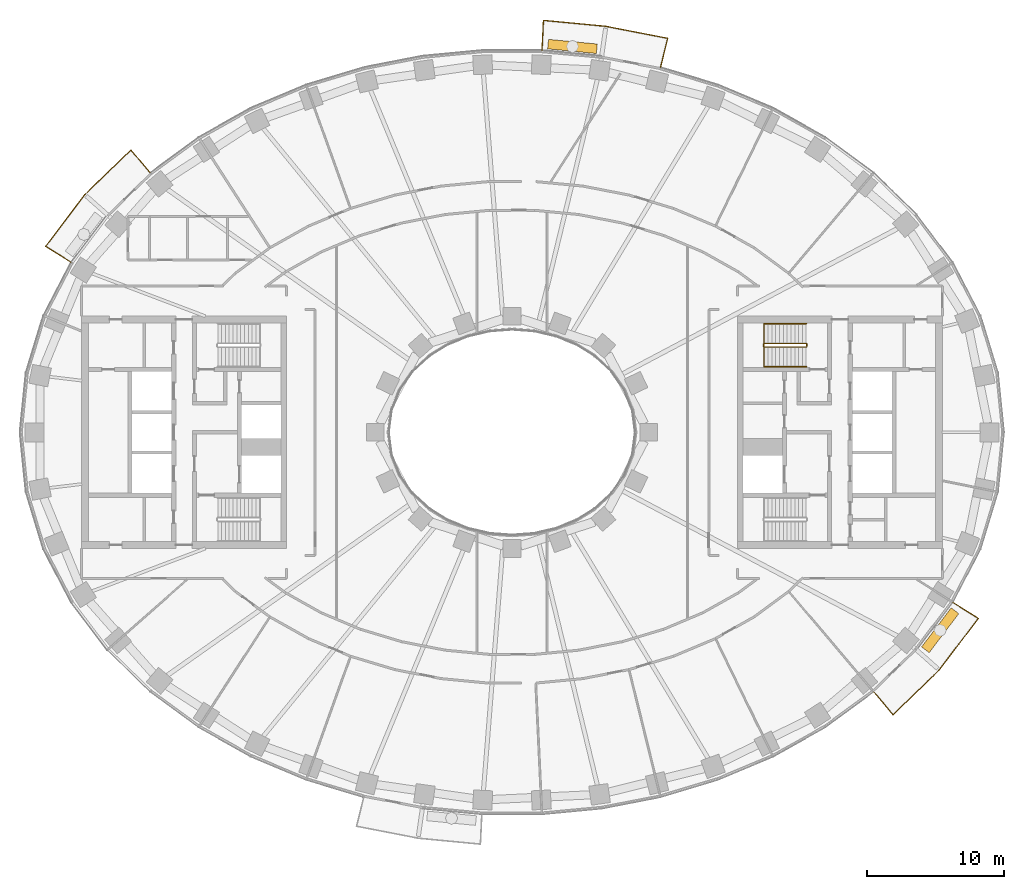
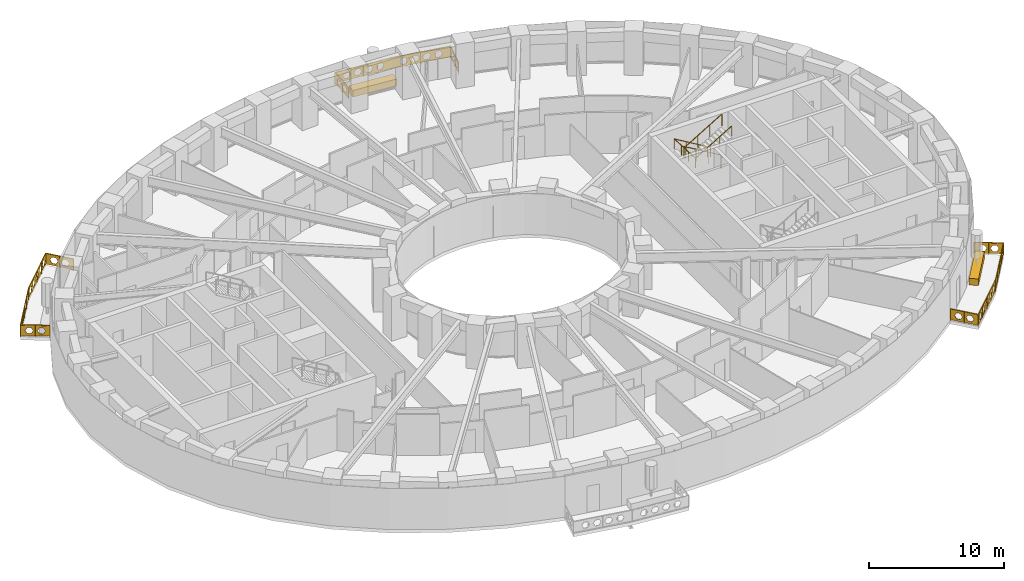
# One storey, part 15 of 16: 5 railings, 2 coverings.
"""IFC4 building model written with IfcOpenShell, lengths in metres."""

from ifc_helpers import new_model, si_unit, direction, frame, origin, origin_2d, place, context, subcontext, project, spatial, polyline, rectangle, outline, extrude, material, type_object, element, save


model = new_model("IFC4")

# Units and contexts
model_context = context("Model", 3, precision=1e-05, world=origin(), true_north=direction((0.0, 1.0)))
body_context = subcontext(model_context, "Body", "Model", "MODEL_VIEW")
ifc_project = project(units=[si_unit("LENGTHUNIT", "METRE"), si_unit("AREAUNIT", "SQUARE_METRE"), si_unit("VOLUMEUNIT", "CUBIC_METRE"), si_unit("PLANEANGLEUNIT", "RADIAN"), si_unit("MASSUNIT", "GRAM", prefix="KILO")], contexts=[model_context])

# Site, building, storey
site_placement = place(None, origin())
site = spatial("IfcSite", under=ifc_project, at=site_placement, CompositionType="ELEMENT")
building_placement = place(site_placement, origin())
building = spatial("IfcBuilding", under=site, at=building_placement, Name="Noorbagh Ring Tower", CompositionType="ELEMENT")
storey_placement = place(building_placement, frame((0.0, 0.0, 70.5)))
storey = spatial("IfcBuildingStorey", under=building, at=storey_placement, Name="L15", CompositionType="ELEMENT", Elevation=70.5)

# Railings
ifc_material_1 = material(Name="Stainless steel", Category="steel")
railing_type_1 = type_object("IfcRailingType", Name="CORE-STAIR-GUARD", PredefinedType="GUARDRAIL", material=ifc_material_1)
railing_1_placement = place(storey_placement, frame((21.580078125, 6.449951171875, 0.0)))
element("IfcRailing", 1, at=railing_1_placement, inside=storey, type_object=railing_type_1, Name="L15 ST3 stair guard", PredefinedType="GUARDRAIL", context=body_context, shape_type="SweptSolid", body=[
    extrude(rectangle(XDim=0.048095703125, YDim=0.048095703125, at=origin_2d()), frame((0.0, 0.0, 1.076171875), z_axis=(0.0, -1.0, 0.0), x_axis=(1.0, 0.0, 0.0)), (0.0, 0.0, 1.0), 0.14990234375),
    extrude(rectangle(XDim=0.048095703125, YDim=0.048095703125, at=origin_2d()), frame((0.0, -0.14990234375, 1.076171875), z_axis=(-0.188775798145, 0.754182335027, 0.628945707965), x_axis=(-0.970072785993, -0.242814311512, 0.0)), (0.0, 0.0, 1.0), 0.26513671875),
    extrude(rectangle(XDim=0.048095703125, YDim=0.048095703125, at=origin_2d()), frame((-0.050048828125, 0.050048828125, 1.24267578125), z_axis=(-0.859308565015, 0.0, 0.511457515432), x_axis=(0.0, -1.0, 0.0)), (0.0, 0.0, 1.0), 3.58447265625),
    extrude(rectangle(XDim=0.048095703125, YDim=0.048095703125, at=origin_2d()), frame((-3.130126953125, 0.050048828125, 3.076171875), z_axis=(-0.707106781187, -0.707106781187, 0.0), x_axis=(0.707106781187, -0.707106781187, 0.0)), (0.0, 0.0, 1.0), 0.07080078125),
    extrude(rectangle(XDim=0.048095703125, YDim=0.048095703125, at=origin_2d()), frame((-3.18017578125, 0.0, 3.076171875), z_axis=(0.0, -1.0, 0.0), x_axis=(1.0, 0.0, 0.0)), (0.0, 0.0, 1.0), 0.14990234375),
    extrude(rectangle(XDim=0.048095703125, YDim=0.048095703125, at=origin_2d()), frame((-3.18017578125, -0.14990234375, 3.076171875), z_axis=(0.27628659633, -0.27628659633, 0.920506074601), x_axis=(0.707106781187, 0.707106781187, 0.0)), (0.0, 0.0, 1.0), 0.18115234375),
    extrude(rectangle(XDim=0.048095703125, YDim=0.048095703125, at=origin_2d()), frame((-3.130126953125, -0.199951171875, 3.24267578125), z_axis=(0.859308565015, 0.0, 0.511457515432), x_axis=(0.0, 1.0, 0.0)), (0.0, 0.0, 1.0), 3.58447265625),
    extrude(rectangle(XDim=0.0419921875, YDim=0.0419921875, at=origin_2d()), origin(), (0.0, 0.0, 1.0), 1.052001953125),
    extrude(rectangle(XDim=0.0419921875, YDim=0.0419921875, at=origin_2d()), frame((-1.07666015625, 0.050048828125, 0.77783203125)), (0.0, 0.0, 1.0), 1.052001953125),
    extrude(rectangle(XDim=0.0419921875, YDim=0.0419921875, at=origin_2d()), frame((-2.103515625, 0.050048828125, 1.388916015625)), (0.0, 0.0, 1.0), 1.052001953125),
    extrude(rectangle(XDim=0.0419921875, YDim=0.0419921875, at=origin_2d()), frame((-3.130126953125, 0.050048828125, 2.0)), (0.0, 0.0, 1.0), 1.052001953125),
    extrude(rectangle(XDim=0.0419921875, YDim=0.0419921875, at=origin_2d()), frame((-3.130126953125, -0.199951171875, 2.166748046875)), (0.0, 0.0, 1.0), 1.052001953125),
    extrude(rectangle(XDim=0.0419921875, YDim=0.0419921875, at=origin_2d()), frame((-2.103515625, -0.199951171875, 2.77783203125)), (0.0, 0.0, 1.0), 1.052001953125),
    extrude(rectangle(XDim=0.0419921875, YDim=0.0419921875, at=origin_2d()), frame((-1.07666015625, -0.199951171875, 3.388916015625)), (0.0, 0.0, 1.0), 1.052001953125),
    extrude(rectangle(XDim=0.0419921875, YDim=0.0419921875, at=origin_2d()), frame((-0.050048828125, -0.199951171875, 4.0)), (0.0, 0.0, 1.0), 1.052001953125),
])
ifc_material_2 = material(Name="Stainless steel", Category="steel")
railing_type_2 = type_object("IfcRailingType", Name="CORE-STAIR-HANDRAIL", PredefinedType="HANDRAIL", material=ifc_material_2)
railing_2_placement = place(storey_placement, frame((21.530029296875, 7.949951171875, 0.166748046875)))
element("IfcRailing", 2, at=railing_2_placement, inside=storey, type_object=railing_type_2, Name="L15 ST3 stair handrail", PredefinedType="HANDRAIL", context=body_context, shape_type="SweptSolid", body=[
    extrude(rectangle(XDim=0.048095703125, YDim=0.048095703125, at=origin_2d()), frame((0.0, 0.0, 0.8759765625), z_axis=(-0.859308565015, 0.0, 0.511457515432), x_axis=(0.0, -1.0, 0.0)), (0.0, 0.0, 1.0), 3.58447265625),
    extrude(rectangle(XDim=0.048095703125, YDim=0.048095703125, at=origin_2d()), frame((-3.080078125, 0.0, 2.708984375), z_axis=(0.0, -0.998601747152, 0.052863509014), x_axis=(1.0, 0.0, 0.0)), (0.0, 0.0, 1.0), 3.154296875),
    extrude(rectangle(XDim=0.048095703125, YDim=0.048095703125, at=origin_2d()), frame((-3.080078125, -3.14990234375, 2.8759765625), z_axis=(0.859308565015, 0.0, 0.511457515432), x_axis=(0.0, 1.0, 0.0)), (0.0, 0.0, 1.0), 3.58447265625),
    extrude(rectangle(XDim=0.0419921875, YDim=0.0419921875, at=origin_2d()), origin(), (0.0, 0.0, 1.0), 0.851806640625),
    extrude(rectangle(XDim=0.0419921875, YDim=0.0419921875, at=origin_2d()), frame((-1.026611328125, 0.0, 0.611083984375)), (0.0, 0.0, 1.0), 0.851806640625),
    extrude(rectangle(XDim=0.0419921875, YDim=0.0419921875, at=origin_2d()), frame((-2.053466796875, 0.0, 1.22216796875)), (0.0, 0.0, 1.0), 0.851806640625),
    extrude(rectangle(XDim=0.0419921875, YDim=0.0419921875, at=origin_2d()), frame((-3.080078125, 0.0, 1.833251953125)), (0.0, 0.0, 1.0), 0.851806640625),
    extrude(rectangle(XDim=0.0419921875, YDim=0.0419921875, at=origin_2d()), frame((-3.080078125, -1.050048828125, 1.888916015625)), (0.0, 0.0, 1.0), 0.851806640625),
    extrude(rectangle(XDim=0.0419921875, YDim=0.0419921875, at=origin_2d()), frame((-3.080078125, -2.099853515625, 1.9443359375)), (0.0, 0.0, 1.0), 0.851806640625),
    extrude(rectangle(XDim=0.0419921875, YDim=0.0419921875, at=origin_2d()), frame((-3.080078125, -3.14990234375, 2.0)), (0.0, 0.0, 1.0), 0.851806640625),
    extrude(rectangle(XDim=0.0419921875, YDim=0.0419921875, at=origin_2d()), frame((-2.053466796875, -3.14990234375, 2.611083984375)), (0.0, 0.0, 1.0), 0.851806640625),
    extrude(rectangle(XDim=0.0419921875, YDim=0.0419921875, at=origin_2d()), frame((-1.026611328125, -3.14990234375, 3.22216796875)), (0.0, 0.0, 1.0), 0.851806640625),
    extrude(rectangle(XDim=0.0419921875, YDim=0.0419921875, at=origin_2d()), frame((0.0, -3.14990234375, 3.833251953125)), (0.0, 0.0, 1.0), 0.851806640625),
])
ifc_material_3 = material(Name="Steel S275 black powder-coated", Category="steel")
railing_type_3 = type_object("IfcRailingType", Name="ENV-GUARD", PredefinedType="GUARDRAIL", material=ifc_material_3)
railing_3_placement = place(storey_placement, frame((10.865234375, 26.6943359375, 0.0)))
element("IfcRailing", 3, at=railing_3_placement, inside=storey, type_object=railing_type_3, Name="Balcony guard BN03", PredefinedType="GUARDRAIL", context=body_context, shape_type="SweptSolid", body=[
    extrude(rectangle(XDim=0.048095703125, YDim=0.048095703125, at=origin_2d()), frame((0.0, 0.0, 1.076171875), z_axis=(0.239848558412, 0.970810315679, 0.0), x_axis=(-0.970810315679, 0.239848558412, 0.0)), (0.0, 0.0, 1.0), 2.20263671875),
    extrude(rectangle(XDim=0.048095703125, YDim=0.048095703125, at=origin_2d()), frame((0.5283203125, 2.138427734375, 1.076171875), z_axis=(-0.981625049064, 0.1908199755, 0.0), x_axis=(-0.1908199755, -0.981625049064, 0.0)), (0.0, 0.0, 1.0), 4.603271484375),
    extrude(rectangle(XDim=0.048095703125, YDim=0.048095703125, at=origin_2d()), frame((-3.990478515625, 3.016845703125, 1.076171875), z_axis=(-0.995477555764, 0.094997031379, 0.0), x_axis=(-0.094997031379, -0.995477555764, 0.0)), (0.0, 0.0, 1.0), 4.59765625),
    extrude(rectangle(XDim=0.048095703125, YDim=0.048095703125, at=origin_2d()), frame((-8.5673828125, 3.45361328125, 1.076171875), z_axis=(-0.047554616162, -0.998868639252, 0.0), x_axis=(0.998868639252, -0.047554616162, 0.0)), (0.0, 0.0, 1.0), 2.202392578125),
    extrude(rectangle(XDim=0.0419921875, YDim=0.0419921875, at=origin_2d()), origin(), (0.0, 0.0, 1.0), 1.052001953125),
    extrude(rectangle(XDim=0.0419921875, YDim=0.0419921875, at=origin_2d()), frame((0.26416015625, 1.0693359375, 0.0)), (0.0, 0.0, 1.0), 1.052001953125),
    extrude(rectangle(XDim=0.0419921875, YDim=0.0419921875, at=origin_2d()), frame((0.5283203125, 2.138427734375, 0.0)), (0.0, 0.0, 1.0), 1.052001953125),
    extrude(rectangle(XDim=0.0419921875, YDim=0.0419921875, at=origin_2d()), frame((-0.601318359375, 2.35791015625, 0.0)), (0.0, 0.0, 1.0), 1.052001953125),
    extrude(rectangle(XDim=0.0419921875, YDim=0.0419921875, at=origin_2d()), frame((-1.73095703125, 2.57763671875, 0.0)), (0.0, 0.0, 1.0), 1.052001953125),
    extrude(rectangle(XDim=0.0419921875, YDim=0.0419921875, at=origin_2d()), frame((-2.86083984375, 2.79736328125, 0.0)), (0.0, 0.0, 1.0), 1.052001953125),
    extrude(rectangle(XDim=0.0419921875, YDim=0.0419921875, at=origin_2d()), frame((-3.990478515625, 3.016845703125, 0.0)), (0.0, 0.0, 1.0), 1.052001953125),
    extrude(rectangle(XDim=0.0419921875, YDim=0.0419921875, at=origin_2d()), frame((-5.134765625, 3.1259765625, 0.0)), (0.0, 0.0, 1.0), 1.052001953125),
    extrude(rectangle(XDim=0.0419921875, YDim=0.0419921875, at=origin_2d()), frame((-6.27880859375, 3.2353515625, 0.0)), (0.0, 0.0, 1.0), 1.052001953125),
    extrude(rectangle(XDim=0.0419921875, YDim=0.0419921875, at=origin_2d()), frame((-7.423095703125, 3.344482421875, 0.0)), (0.0, 0.0, 1.0), 1.052001953125),
    extrude(rectangle(XDim=0.0419921875, YDim=0.0419921875, at=origin_2d()), frame((-8.5673828125, 3.45361328125, 0.0)), (0.0, 0.0, 1.0), 1.052001953125),
    extrude(rectangle(XDim=0.0419921875, YDim=0.0419921875, at=origin_2d()), frame((-8.61962890625, 2.353515625, 0.0)), (0.0, 0.0, 1.0), 1.052001953125),
    extrude(rectangle(XDim=0.0419921875, YDim=0.0419921875, at=origin_2d()), frame((-8.672119140625, 1.253662109375, 0.0)), (0.0, 0.0, 1.0), 1.052001953125),
    extrude(outline(polyline([(0.0, 0.10009765625), (2.20263671875, 0.10009765625), (2.20263671875, 1.031982421875), (0.0, 1.031982421875), (0.0, 0.10009765625)]), holes=[polyline([(0.96142578125, 0.56591796875), (0.806396484375, 0.83447265625), (0.496337890625, 0.83447265625), (0.34130859375, 0.56591796875), (0.496337890625, 0.297607421875), (0.806396484375, 0.297607421875), (0.96142578125, 0.56591796875)]), polyline([(1.861328125, 0.56591796875), (1.706298828125, 0.83447265625), (1.396240234375, 0.83447265625), (1.241455078125, 0.56591796875), (1.396240234375, 0.297607421875), (1.706298828125, 0.297607421875), (1.861328125, 0.56591796875)])]), frame((-0.009765625, 0.00244140625, 0.0), z_axis=(0.970810315679, -0.239848558412, 0.0), x_axis=(0.239848558412, 0.970810315679, 0.0)), (0.0, 0.0, 1.0), 0.02001953125),
    extrude(outline(polyline([(0.0, 0.10009765625), (4.603271484375, 0.10009765625), (4.603271484375, 1.031982421875), (0.0, 1.031982421875), (0.0, 0.10009765625)]), holes=[polyline([(1.26171875, 0.56591796875), (1.106689453125, 0.83447265625), (0.796630859375, 0.83447265625), (0.6416015625, 0.56591796875), (0.796630859375, 0.297607421875), (1.106689453125, 0.297607421875), (1.26171875, 0.56591796875)]), polyline([(2.16162109375, 0.56591796875), (2.006591796875, 0.83447265625), (1.69677734375, 0.83447265625), (1.541748046875, 0.56591796875), (1.69677734375, 0.297607421875), (2.006591796875, 0.297607421875), (2.16162109375, 0.56591796875)]), polyline([(3.061767578125, 0.56591796875), (2.90673828125, 0.83447265625), (2.5966796875, 0.83447265625), (2.441650390625, 0.56591796875), (2.5966796875, 0.297607421875), (2.90673828125, 0.297607421875), (3.061767578125, 0.56591796875)]), polyline([(3.961669921875, 0.56591796875), (3.806640625, 0.83447265625), (3.49658203125, 0.83447265625), (3.341796875, 0.56591796875), (3.49658203125, 0.297607421875), (3.806640625, 0.297607421875), (3.961669921875, 0.56591796875)])]), frame((0.5263671875, 2.128662109375, 0.0), z_axis=(0.1908199755, 0.981625049064, 0.0), x_axis=(-0.981625049064, 0.1908199755, 0.0)), (0.0, 0.0, 1.0), 0.02001953125),
    extrude(outline(polyline([(0.0, 0.10009765625), (4.59765625, 0.10009765625), (4.59765625, 1.031982421875), (0.0, 1.031982421875), (0.0, 0.10009765625)]), holes=[polyline([(1.2587890625, 0.56591796875), (1.103759765625, 0.83447265625), (0.7939453125, 0.83447265625), (0.638916015625, 0.56591796875), (0.7939453125, 0.297607421875), (1.103759765625, 0.297607421875), (1.2587890625, 0.56591796875)]), polyline([(2.158935546875, 0.56591796875), (2.00390625, 0.83447265625), (1.69384765625, 0.83447265625), (1.538818359375, 0.56591796875), (1.69384765625, 0.297607421875), (2.00390625, 0.297607421875), (2.158935546875, 0.56591796875)]), polyline([(3.058837890625, 0.56591796875), (2.90380859375, 0.83447265625), (2.59375, 0.83447265625), (2.43896484375, 0.56591796875), (2.59375, 0.297607421875), (2.90380859375, 0.297607421875), (3.058837890625, 0.56591796875)]), polyline([(3.958740234375, 0.56591796875), (3.803955078125, 0.83447265625), (3.493896484375, 0.83447265625), (3.3388671875, 0.56591796875), (3.493896484375, 0.297607421875), (3.803955078125, 0.297607421875), (3.958740234375, 0.56591796875)])]), frame((-3.991455078125, 3.0068359375, 0.0), z_axis=(0.094997031379, 0.995477555764, 0.0), x_axis=(-0.995477555764, 0.094997031379, 0.0)), (0.0, 0.0, 1.0), 0.02001953125),
    extrude(outline(polyline([(0.0, 0.10009765625), (2.202392578125, 0.10009765625), (2.202392578125, 1.031982421875), (0.0, 1.031982421875), (0.0, 0.10009765625)]), holes=[polyline([(0.961181640625, 0.56591796875), (0.80615234375, 0.83447265625), (0.496337890625, 0.83447265625), (0.34130859375, 0.56591796875), (0.496337890625, 0.297607421875), (0.80615234375, 0.297607421875), (0.961181640625, 0.56591796875)]), polyline([(1.861328125, 0.56591796875), (1.706298828125, 0.83447265625), (1.396240234375, 0.83447265625), (1.2412109375, 0.56591796875), (1.396240234375, 0.297607421875), (1.706298828125, 0.297607421875), (1.861328125, 0.56591796875)])]), frame((-8.557373046875, 3.453125, 0.0), z_axis=(-0.998868639252, 0.047554616162, 0.0), x_axis=(-0.047554616162, -0.998868639252, 0.0)), (0.0, 0.0, 1.0), 0.02001953125),
])
railing_4_placement = place(storey_placement, frame((-26.463134765625, 18.983154296875, 0.0)))
element("IfcRailing", 4, at=railing_4_placement, inside=storey, type_object=railing_type_3, Name="Balcony guard BN06", PredefinedType="GUARDRAIL", context=body_context, shape_type="SweptSolid", body=[
    extrude(rectangle(XDim=0.048095703125, YDim=0.048095703125, at=origin_2d()), frame((0.0, 0.0, 1.076171875), z_axis=(-0.646413574048, 0.762987215677, 0.0), x_axis=(-0.762987215677, -0.646413574048, 0.0)), (0.0, 0.0, 1.0), 2.205322265625),
    extrude(rectangle(XDim=0.048095703125, YDim=0.048095703125, at=origin_2d()), frame((-1.425537109375, 1.6826171875, 1.076171875), z_axis=(-0.717212632946, -0.696854388766, 0.0), x_axis=(0.696854388766, -0.717212632946, 0.0)), (0.0, 0.0, 1.0), 4.700927734375),
    extrude(rectangle(XDim=0.048095703125, YDim=0.048095703125, at=origin_2d()), frame((-4.797119140625, -1.59326171875, 1.076171875), z_axis=(-0.604001613322, -0.796983093362, 0.0), x_axis=(0.796983093362, -0.604001613322, 0.0)), (0.0, 0.0, 1.0), 4.7353515625),
    extrude(rectangle(XDim=0.048095703125, YDim=0.048095703125, at=origin_2d()), frame((-7.6572265625, -5.3671875, 1.076171875), z_axis=(0.844852397829, -0.534999463442, 0.0), x_axis=(0.534999463442, 0.844852397829, 0.0)), (0.0, 0.0, 1.0), 2.207763671875),
    extrude(rectangle(XDim=0.0419921875, YDim=0.0419921875, at=origin_2d()), origin(), (0.0, 0.0, 1.0), 1.052001953125),
    extrude(rectangle(XDim=0.0419921875, YDim=0.0419921875, at=origin_2d()), frame((-0.712890625, 0.84130859375, 0.0)), (0.0, 0.0, 1.0), 1.052001953125),
    extrude(rectangle(XDim=0.0419921875, YDim=0.0419921875, at=origin_2d()), frame((-1.425537109375, 1.6826171875, 0.0)), (0.0, 0.0, 1.0), 1.052001953125),
    extrude(rectangle(XDim=0.0419921875, YDim=0.0419921875, at=origin_2d()), frame((-2.2685546875, 0.86376953125, 0.0)), (0.0, 0.0, 1.0), 1.052001953125),
    extrude(rectangle(XDim=0.0419921875, YDim=0.0419921875, at=origin_2d()), frame((-3.111328125, 0.044677734375, 0.0)), (0.0, 0.0, 1.0), 1.052001953125),
    extrude(rectangle(XDim=0.0419921875, YDim=0.0419921875, at=origin_2d()), frame((-3.9541015625, -0.7744140625, 0.0)), (0.0, 0.0, 1.0), 1.052001953125),
    extrude(rectangle(XDim=0.0419921875, YDim=0.0419921875, at=origin_2d()), frame((-4.797119140625, -1.59326171875, 0.0)), (0.0, 0.0, 1.0), 1.052001953125),
    extrude(rectangle(XDim=0.0419921875, YDim=0.0419921875, at=origin_2d()), frame((-5.51220703125, -2.53662109375, 0.0)), (0.0, 0.0, 1.0), 1.052001953125),
    extrude(rectangle(XDim=0.0419921875, YDim=0.0419921875, at=origin_2d()), frame((-6.22705078125, -3.480224609375, 0.0)), (0.0, 0.0, 1.0), 1.052001953125),
    extrude(rectangle(XDim=0.0419921875, YDim=0.0419921875, at=origin_2d()), frame((-6.942138671875, -4.423828125, 0.0)), (0.0, 0.0, 1.0), 1.052001953125),
    extrude(rectangle(XDim=0.0419921875, YDim=0.0419921875, at=origin_2d()), frame((-7.6572265625, -5.3671875, 0.0)), (0.0, 0.0, 1.0), 1.052001953125),
    extrude(rectangle(XDim=0.0419921875, YDim=0.0419921875, at=origin_2d()), frame((-6.724609375, -5.957763671875, 0.0)), (0.0, 0.0, 1.0), 1.052001953125),
    extrude(rectangle(XDim=0.0419921875, YDim=0.0419921875, at=origin_2d()), frame((-5.7919921875, -6.54833984375, 0.0)), (0.0, 0.0, 1.0), 1.052001953125),
    extrude(outline(polyline([(0.0, 0.10009765625), (2.205322265625, 0.10009765625), (2.205322265625, 1.031982421875), (0.0, 1.031982421875), (0.0, 0.10009765625)]), holes=[polyline([(0.962646484375, 0.56591796875), (0.8076171875, 0.83447265625), (0.49755859375, 0.83447265625), (0.342529296875, 0.56591796875), (0.49755859375, 0.297607421875), (0.8076171875, 0.297607421875), (0.962646484375, 0.56591796875)]), polyline([(1.862548828125, 0.56591796875), (1.707763671875, 0.83447265625), (1.397705078125, 0.83447265625), (1.24267578125, 0.56591796875), (1.397705078125, 0.297607421875), (1.707763671875, 0.297607421875), (1.862548828125, 0.56591796875)])]), frame((-0.007568359375, -0.00634765625, 0.0), z_axis=(0.762987215677, 0.646413574048, 0.0), x_axis=(-0.646413574048, 0.762987215677, 0.0)), (0.0, 0.0, 1.0), 0.02001953125),
    extrude(outline(polyline([(0.0, 0.10009765625), (4.700927734375, 0.10009765625), (4.700927734375, 1.031982421875), (0.0, 1.031982421875), (0.0, 0.10009765625)]), holes=[polyline([(0.860595703125, 0.56591796875), (0.70556640625, 0.83447265625), (0.3955078125, 0.83447265625), (0.240478515625, 0.56591796875), (0.3955078125, 0.297607421875), (0.70556640625, 0.297607421875), (0.860595703125, 0.56591796875)]), polyline([(1.760498046875, 0.56591796875), (1.60546875, 0.83447265625), (1.29541015625, 0.83447265625), (1.140380859375, 0.56591796875), (1.29541015625, 0.297607421875), (1.60546875, 0.297607421875), (1.760498046875, 0.56591796875)]), polyline([(2.660400390625, 0.56591796875), (2.50537109375, 0.83447265625), (2.195556640625, 0.83447265625), (2.04052734375, 0.56591796875), (2.195556640625, 0.297607421875), (2.50537109375, 0.297607421875), (2.660400390625, 0.56591796875)]), polyline([(3.560546875, 0.56591796875), (3.405517578125, 0.83447265625), (3.095458984375, 0.83447265625), (2.9404296875, 0.56591796875), (3.095458984375, 0.297607421875), (3.405517578125, 0.297607421875), (3.560546875, 0.56591796875)]), polyline([(4.46044921875, 0.56591796875), (4.305419921875, 0.83447265625), (3.995361328125, 0.83447265625), (3.840576171875, 0.56591796875), (3.995361328125, 0.297607421875), (4.305419921875, 0.297607421875), (4.46044921875, 0.56591796875)])]), frame((-1.41845703125, 1.675537109375, 0.0), z_axis=(-0.696854388766, 0.717212632946, 0.0), x_axis=(-0.717212632946, -0.696854388766, 0.0)), (0.0, 0.0, 1.0), 0.02001953125),
    extrude(outline(polyline([(0.0, 0.10009765625), (4.7353515625, 0.10009765625), (4.7353515625, 1.031982421875), (0.0, 1.031982421875), (0.0, 0.10009765625)]), holes=[polyline([(0.877685546875, 0.56591796875), (0.72265625, 0.83447265625), (0.41259765625, 0.83447265625), (0.257568359375, 0.56591796875), (0.41259765625, 0.297607421875), (0.72265625, 0.297607421875), (0.877685546875, 0.56591796875)]), polyline([(1.777587890625, 0.56591796875), (1.62255859375, 0.83447265625), (1.312744140625, 0.83447265625), (1.15771484375, 0.56591796875), (1.312744140625, 0.297607421875), (1.62255859375, 0.297607421875), (1.777587890625, 0.56591796875)]), polyline([(2.677734375, 0.56591796875), (2.522705078125, 0.83447265625), (2.212646484375, 0.83447265625), (2.0576171875, 0.56591796875), (2.212646484375, 0.297607421875), (2.522705078125, 0.297607421875), (2.677734375, 0.56591796875)]), polyline([(3.57763671875, 0.56591796875), (3.422607421875, 0.83447265625), (3.112548828125, 0.83447265625), (2.95751953125, 0.56591796875), (3.112548828125, 0.297607421875), (3.422607421875, 0.297607421875), (3.57763671875, 0.56591796875)]), polyline([(4.4775390625, 0.56591796875), (4.32275390625, 0.83447265625), (4.0126953125, 0.83447265625), (3.857666015625, 0.56591796875), (4.0126953125, 0.297607421875), (4.32275390625, 0.297607421875), (4.4775390625, 0.56591796875)])]), frame((-4.7890625, -1.599365234375, 0.0), z_axis=(-0.796983093362, 0.604001613322, 0.0), x_axis=(-0.604001613322, -0.796983093362, 0.0)), (0.0, 0.0, 1.0), 0.02001953125),
    extrude(outline(polyline([(0.0, 0.10009765625), (2.207763671875, 0.10009765625), (2.207763671875, 1.031982421875), (0.0, 1.031982421875), (0.0, 0.10009765625)]), holes=[polyline([(0.9638671875, 0.56591796875), (0.808837890625, 0.83447265625), (0.498779296875, 0.83447265625), (0.343994140625, 0.56591796875), (0.498779296875, 0.297607421875), (0.808837890625, 0.297607421875), (0.9638671875, 0.56591796875)]), polyline([(1.86376953125, 0.56591796875), (1.708984375, 0.83447265625), (1.39892578125, 0.83447265625), (1.243896484375, 0.56591796875), (1.39892578125, 0.297607421875), (1.708984375, 0.297607421875), (1.86376953125, 0.56591796875)])]), frame((-7.65185546875, -5.358642578125, 0.0), z_axis=(-0.534999463442, -0.844852397829, 0.0), x_axis=(0.844852397829, -0.534999463442, 0.0)), (0.0, 0.0, 1.0), 0.02001953125),
])
railing_5_placement = place(storey_placement, frame((26.463134765625, -18.983154296875, 0.0)))
element("IfcRailing", 5, at=railing_5_placement, inside=storey, type_object=railing_type_3, Name="Balcony guard BS06", PredefinedType="GUARDRAIL", context=body_context, shape_type="SweptSolid", body=[
    extrude(rectangle(XDim=0.048095703125, YDim=0.048095703125, at=origin_2d()), frame((0.0, 0.0, 1.076171875), z_axis=(0.646413574048, -0.762987215677, 0.0), x_axis=(0.762987215677, 0.646413574048, 0.0)), (0.0, 0.0, 1.0), 2.205322265625),
    extrude(rectangle(XDim=0.048095703125, YDim=0.048095703125, at=origin_2d()), frame((1.425537109375, -1.6826171875, 1.076171875), z_axis=(0.717212632946, 0.696854388766, 0.0), x_axis=(-0.696854388766, 0.717212632946, 0.0)), (0.0, 0.0, 1.0), 4.700927734375),
    extrude(rectangle(XDim=0.048095703125, YDim=0.048095703125, at=origin_2d()), frame((4.797119140625, 1.59326171875, 1.076171875), z_axis=(0.604001613322, 0.796983093362, 0.0), x_axis=(-0.796983093362, 0.604001613322, 0.0)), (0.0, 0.0, 1.0), 4.7353515625),
    extrude(rectangle(XDim=0.048095703125, YDim=0.048095703125, at=origin_2d()), frame((7.6572265625, 5.3671875, 1.076171875), z_axis=(-0.844852397829, 0.534999463442, 0.0), x_axis=(-0.534999463442, -0.844852397829, 0.0)), (0.0, 0.0, 1.0), 2.207763671875),
    extrude(rectangle(XDim=0.0419921875, YDim=0.0419921875, at=origin_2d()), origin(), (0.0, 0.0, 1.0), 1.052001953125),
    extrude(rectangle(XDim=0.0419921875, YDim=0.0419921875, at=origin_2d()), frame((0.712890625, -0.84130859375, 0.0)), (0.0, 0.0, 1.0), 1.052001953125),
    extrude(rectangle(XDim=0.0419921875, YDim=0.0419921875, at=origin_2d()), frame((1.425537109375, -1.6826171875, 0.0)), (0.0, 0.0, 1.0), 1.052001953125),
    extrude(rectangle(XDim=0.0419921875, YDim=0.0419921875, at=origin_2d()), frame((2.2685546875, -0.86376953125, 0.0)), (0.0, 0.0, 1.0), 1.052001953125),
    extrude(rectangle(XDim=0.0419921875, YDim=0.0419921875, at=origin_2d()), frame((3.111328125, -0.044677734375, 0.0)), (0.0, 0.0, 1.0), 1.052001953125),
    extrude(rectangle(XDim=0.0419921875, YDim=0.0419921875, at=origin_2d()), frame((3.9541015625, 0.7744140625, 0.0)), (0.0, 0.0, 1.0), 1.052001953125),
    extrude(rectangle(XDim=0.0419921875, YDim=0.0419921875, at=origin_2d()), frame((4.797119140625, 1.59326171875, 0.0)), (0.0, 0.0, 1.0), 1.052001953125),
    extrude(rectangle(XDim=0.0419921875, YDim=0.0419921875, at=origin_2d()), frame((5.51220703125, 2.53662109375, 0.0)), (0.0, 0.0, 1.0), 1.052001953125),
    extrude(rectangle(XDim=0.0419921875, YDim=0.0419921875, at=origin_2d()), frame((6.22705078125, 3.480224609375, 0.0)), (0.0, 0.0, 1.0), 1.052001953125),
    extrude(rectangle(XDim=0.0419921875, YDim=0.0419921875, at=origin_2d()), frame((6.942138671875, 4.423828125, 0.0)), (0.0, 0.0, 1.0), 1.052001953125),
    extrude(rectangle(XDim=0.0419921875, YDim=0.0419921875, at=origin_2d()), frame((7.6572265625, 5.3671875, 0.0)), (0.0, 0.0, 1.0), 1.052001953125),
    extrude(rectangle(XDim=0.0419921875, YDim=0.0419921875, at=origin_2d()), frame((6.724609375, 5.957763671875, 0.0)), (0.0, 0.0, 1.0), 1.052001953125),
    extrude(rectangle(XDim=0.0419921875, YDim=0.0419921875, at=origin_2d()), frame((5.7919921875, 6.54833984375, 0.0)), (0.0, 0.0, 1.0), 1.052001953125),
    extrude(outline(polyline([(0.0, 0.10009765625), (2.205322265625, 0.10009765625), (2.205322265625, 1.031982421875), (0.0, 1.031982421875), (0.0, 0.10009765625)]), holes=[polyline([(0.962646484375, 0.56591796875), (0.8076171875, 0.83447265625), (0.49755859375, 0.83447265625), (0.342529296875, 0.56591796875), (0.49755859375, 0.297607421875), (0.8076171875, 0.297607421875), (0.962646484375, 0.56591796875)]), polyline([(1.862548828125, 0.56591796875), (1.707763671875, 0.83447265625), (1.397705078125, 0.83447265625), (1.24267578125, 0.56591796875), (1.397705078125, 0.297607421875), (1.707763671875, 0.297607421875), (1.862548828125, 0.56591796875)])]), frame((0.007568359375, 0.00634765625, 0.0), z_axis=(-0.762987215677, -0.646413574048, 0.0), x_axis=(0.646413574048, -0.762987215677, 0.0)), (0.0, 0.0, 1.0), 0.02001953125),
    extrude(outline(polyline([(0.0, 0.10009765625), (4.700927734375, 0.10009765625), (4.700927734375, 1.031982421875), (0.0, 1.031982421875), (0.0, 0.10009765625)]), holes=[polyline([(0.860595703125, 0.56591796875), (0.70556640625, 0.83447265625), (0.3955078125, 0.83447265625), (0.240478515625, 0.56591796875), (0.3955078125, 0.297607421875), (0.70556640625, 0.297607421875), (0.860595703125, 0.56591796875)]), polyline([(1.760498046875, 0.56591796875), (1.60546875, 0.83447265625), (1.29541015625, 0.83447265625), (1.140380859375, 0.56591796875), (1.29541015625, 0.297607421875), (1.60546875, 0.297607421875), (1.760498046875, 0.56591796875)]), polyline([(2.660400390625, 0.56591796875), (2.50537109375, 0.83447265625), (2.195556640625, 0.83447265625), (2.04052734375, 0.56591796875), (2.195556640625, 0.297607421875), (2.50537109375, 0.297607421875), (2.660400390625, 0.56591796875)]), polyline([(3.560546875, 0.56591796875), (3.405517578125, 0.83447265625), (3.095458984375, 0.83447265625), (2.9404296875, 0.56591796875), (3.095458984375, 0.297607421875), (3.405517578125, 0.297607421875), (3.560546875, 0.56591796875)]), polyline([(4.46044921875, 0.56591796875), (4.305419921875, 0.83447265625), (3.995361328125, 0.83447265625), (3.840576171875, 0.56591796875), (3.995361328125, 0.297607421875), (4.305419921875, 0.297607421875), (4.46044921875, 0.56591796875)])]), frame((1.41845703125, -1.675537109375, 0.0), z_axis=(0.696854388766, -0.717212632946, 0.0), x_axis=(0.717212632946, 0.696854388766, 0.0)), (0.0, 0.0, 1.0), 0.02001953125),
    extrude(outline(polyline([(0.0, 0.10009765625), (4.7353515625, 0.10009765625), (4.7353515625, 1.031982421875), (0.0, 1.031982421875), (0.0, 0.10009765625)]), holes=[polyline([(0.877685546875, 0.56591796875), (0.72265625, 0.83447265625), (0.41259765625, 0.83447265625), (0.257568359375, 0.56591796875), (0.41259765625, 0.297607421875), (0.72265625, 0.297607421875), (0.877685546875, 0.56591796875)]), polyline([(1.777587890625, 0.56591796875), (1.62255859375, 0.83447265625), (1.312744140625, 0.83447265625), (1.15771484375, 0.56591796875), (1.312744140625, 0.297607421875), (1.62255859375, 0.297607421875), (1.777587890625, 0.56591796875)]), polyline([(2.677734375, 0.56591796875), (2.522705078125, 0.83447265625), (2.212646484375, 0.83447265625), (2.0576171875, 0.56591796875), (2.212646484375, 0.297607421875), (2.522705078125, 0.297607421875), (2.677734375, 0.56591796875)]), polyline([(3.57763671875, 0.56591796875), (3.422607421875, 0.83447265625), (3.112548828125, 0.83447265625), (2.95751953125, 0.56591796875), (3.112548828125, 0.297607421875), (3.422607421875, 0.297607421875), (3.57763671875, 0.56591796875)]), polyline([(4.4775390625, 0.56591796875), (4.32275390625, 0.83447265625), (4.0126953125, 0.83447265625), (3.857666015625, 0.56591796875), (4.0126953125, 0.297607421875), (4.32275390625, 0.297607421875), (4.4775390625, 0.56591796875)])]), frame((4.7890625, 1.599365234375, 0.0), z_axis=(0.796983093362, -0.604001613322, 0.0), x_axis=(0.604001613322, 0.796983093362, 0.0)), (0.0, 0.0, 1.0), 0.02001953125),
    extrude(outline(polyline([(0.0, 0.10009765625), (2.207763671875, 0.10009765625), (2.207763671875, 1.031982421875), (0.0, 1.031982421875), (0.0, 0.10009765625)]), holes=[polyline([(0.9638671875, 0.56591796875), (0.808837890625, 0.83447265625), (0.498779296875, 0.83447265625), (0.343994140625, 0.56591796875), (0.498779296875, 0.297607421875), (0.808837890625, 0.297607421875), (0.9638671875, 0.56591796875)]), polyline([(1.86376953125, 0.56591796875), (1.708984375, 0.83447265625), (1.39892578125, 0.83447265625), (1.243896484375, 0.56591796875), (1.39892578125, 0.297607421875), (1.708984375, 0.297607421875), (1.86376953125, 0.56591796875)])]), frame((7.65185546875, 5.358642578125, 0.0), z_axis=(0.534999463442, 0.844852397829, 0.0), x_axis=(-0.844852397829, 0.534999463442, 0.0)), (0.0, 0.0, 1.0), 0.02001953125),
])

# Coverings
ifc_material_4 = material(Name="Concrete C30/37 planter with soil", Category="concrete")
covering_type = type_object("IfcCoveringType", Name="ENV-PLANTER", PredefinedType="CLADDING", material=ifc_material_4)
covering_1_placement = place(storey_placement, frame((4.423828125, 28.2373046875, 0.0), z_axis=(0.0, 0.0, 1.0), x_axis=(-0.995476497323, 0.095008122171, 0.0)))
element("IfcCovering", 6, at=covering_1_placement, inside=storey, type_object=covering_type, Name="PLANTER BN03", ObjectType="PLANTER", PredefinedType="CLADDING", context=body_context, shape_type="SweptSolid", body=[
    extrude(rectangle(XDim=3.58642578125, YDim=0.699951171875, at=origin_2d()), origin(), (0.0, 0.0, 1.0), 0.60009765625),
])
covering_2_placement = place(storey_placement, frame((31.329833984375, -14.4833984375, 0.0), z_axis=(0.0, 0.0, 1.0), x_axis=(0.604020184358, 0.796969018776, 0.0)))
element("IfcCovering", 7, at=covering_2_placement, inside=storey, type_object=covering_type, Name="PLANTER BS06", ObjectType="PLANTER", PredefinedType="CLADDING", context=body_context, shape_type="SweptSolid", body=[
    extrude(rectangle(XDim=3.583251953125, YDim=0.699951171875, at=origin_2d()), origin(), (0.0, 0.0, 1.0), 0.60009765625),
])

save(model, "model.ifc")
